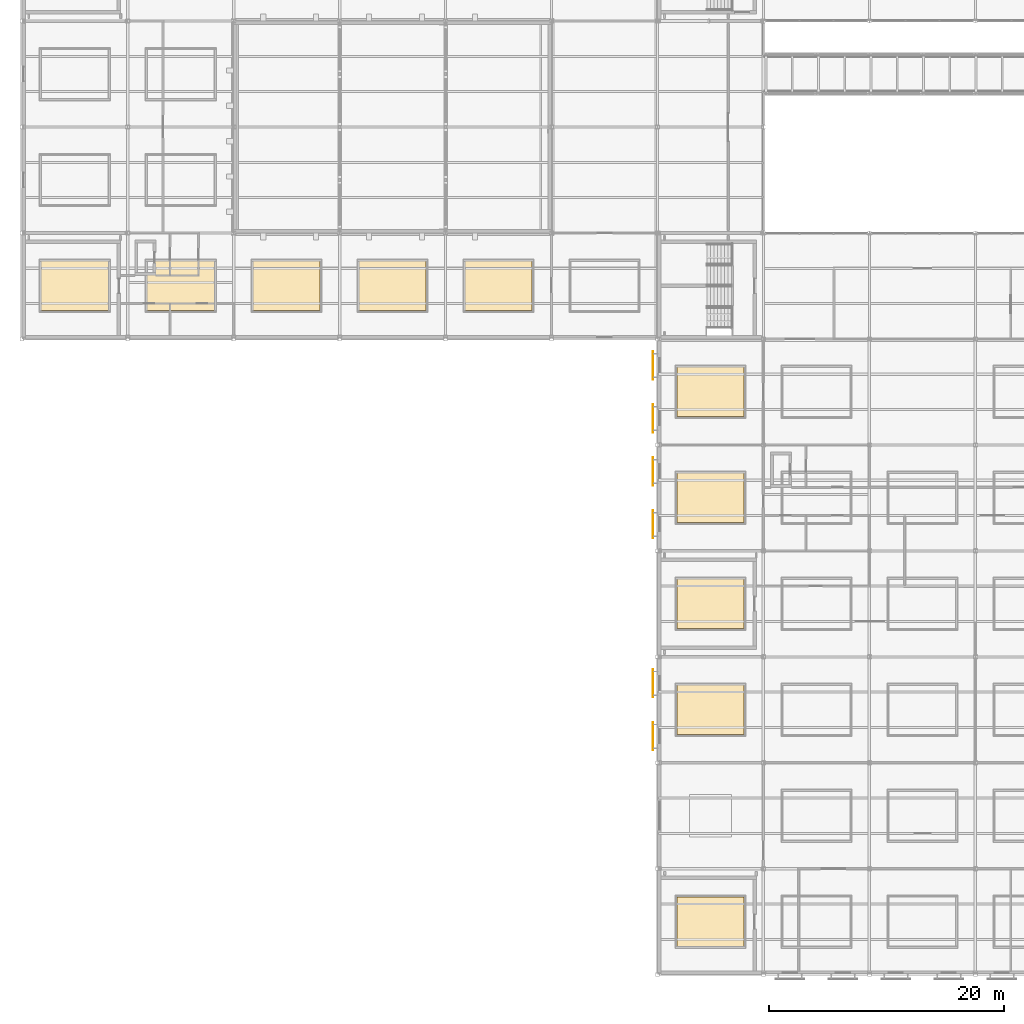
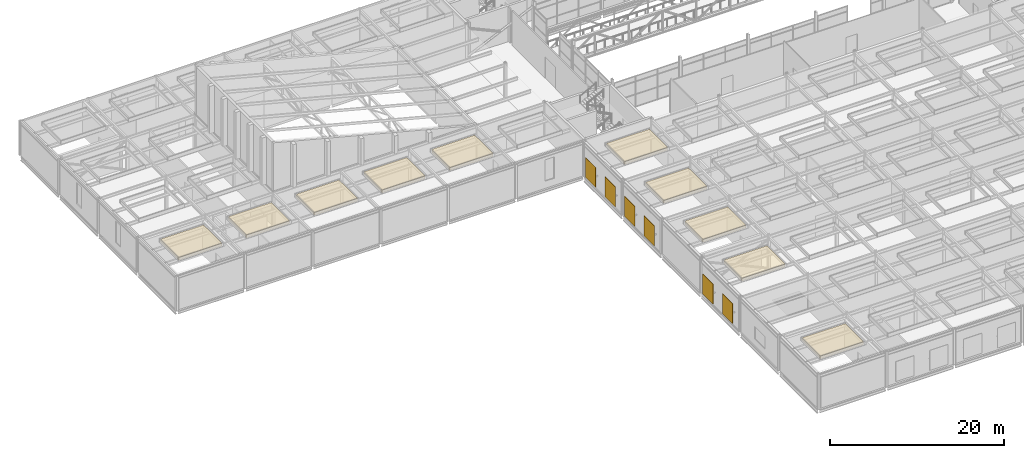
# One storey, part 108 of 115: 10 coverings, 6 shading devices.
"""IFC4 building model written with IfcOpenShell, lengths in metres."""

from ifc_helpers import new_model, si_unit, direction, frame, origin, origin_2d, place, context, subcontext, project, spatial, polyline, rectangle, outline, extrude, material, layer, layer_set, type_object, element, save


model = new_model("IFC4")

# Units and contexts
model_context = context("Model", 3, precision=1e-05, world=origin(), true_north=direction((0.0, 1.0)))
body_context = subcontext(model_context, "Body", "Model", "MODEL_VIEW")
ifc_project = project(units=[si_unit("LENGTHUNIT", "METRE"), si_unit("AREAUNIT", "SQUARE_METRE"), si_unit("VOLUMEUNIT", "CUBIC_METRE"), si_unit("PLANEANGLEUNIT", "RADIAN"), si_unit("MASSUNIT", "GRAM", prefix="KILO")], contexts=[model_context])

# Site, building, storey
site_placement = place(None, origin())
site = spatial("IfcSite", under=ifc_project, at=site_placement, CompositionType="ELEMENT")
building_placement = place(site_placement, origin())
building = spatial("IfcBuilding", under=site, at=building_placement, Name="Shorebreak Coast Museum", CompositionType="ELEMENT")
storey_placement = place(building_placement, frame((0.0, 0.0, 11.0)))
storey = spatial("IfcBuildingStorey", under=building, at=storey_placement, Name="L02", CompositionType="ELEMENT", Elevation=11.0)

# Shading devices
ifc_material_1 = material(Name="Aluminium", Category="aluminium")
ifc_layer_1 = layer(ifc_material_1, 0.0400390625)
ifc_layer_set_1 = layer_set([ifc_layer_1], Name="Aluminium")
shading_device_type = type_object("IfcShadingDeviceType", Name="Perforated aluminium screen 2400 x 2800", PredefinedType="USERDEFINED", material=ifc_layer_set_1)
for number, where, z_axis, x_axis, name in (
    (1, (53.6298828125, 20.25, 0.5498046875), (0.0, 0.0, 1.0), (1.0, 0.0, 0.0), "Perforated screen L02 W39"),
    (2, (53.6298828125, 24.75, 0.5498046875), (0.0, 0.0, 1.0), (1.0, 0.0, 0.0), "Perforated screen L02 W40"),
    (3, (53.6298828125, 38.25, 0.5498046875), (0.0, 0.0, 1.0), (1.0, 0.0, 0.0), "Perforated screen L02 W41"),
    (4, (53.6298828125, 42.75, 0.5498046875), (0.0, 0.0, 1.0), (1.0, 0.0, 0.0), "Perforated screen L02 W42"),
    (5, (53.6298828125, 47.25, 0.5498046875), (0.0, 0.0, 1.0), (1.0, 0.0, 0.0), "Perforated screen L02 W43"),
    (6, (53.6298828125, 51.75, 0.5498046875), (0.0, 0.0, 1.0), (1.0, 0.0, 0.0), "Perforated screen L02 W44"),
):
    element("IfcShadingDevice", number, at=place(storey_placement, frame(where, z_axis=z_axis, x_axis=x_axis)), inside=storey, type_object=shading_device_type, Name=name, ObjectType="LOUVRE", PredefinedType="USERDEFINED", context=body_context, shape_type="SweptSolid", body=[
        extrude(rectangle(XDim=0.0400390625, YDim=2.39990234375, at=origin_2d()), origin(), (0.0, 0.0, 1.0), 2.800048828125),
    ])

# Coverings
ifc_material_2 = material(Name="Growing medium")
ifc_layer_2 = layer(ifc_material_2, 0.39990234375)
ifc_layer_set_2 = layer_set([ifc_layer_2], Name="Growing medium")
covering_type = type_object("IfcCoveringType", Name="Roof garden planting 400", PredefinedType="FLOORING", material=ifc_layer_set_2)
covering_1_placement = place(storey_placement, frame((0.0, 0.0, 5.0)))
element("IfcCovering", 7, at=covering_1_placement, inside=storey, type_object=covering_type, Name="Roof garden planting", PredefinedType="FLOORING", context=body_context, shape_type="SweptSolid", body=[
    extrude(outline(polyline([(7.35009765625, 56.39990234375), (7.35009765625, 60.60009765625), (1.64990234375, 60.60009765625), (1.64990234375, 56.39990234375), (7.35009765625, 56.39990234375)])), origin(), (0.0, 0.0, 1.0), 0.39990234375),
])
covering_2_placement = place(storey_placement, frame((0.0, 0.0, 5.0)))
element("IfcCovering", 8, at=covering_2_placement, inside=storey, type_object=covering_type, Name="Roof garden planting", PredefinedType="FLOORING", context=body_context, shape_type="SweptSolid", body=[
    extrude(outline(polyline([(16.35009765625, 56.39990234375), (16.35009765625, 60.60009765625), (10.64990234375, 60.60009765625), (10.64990234375, 56.39990234375), (16.35009765625, 56.39990234375)])), origin(), (0.0, 0.0, 1.0), 0.39990234375),
])
covering_3_placement = place(storey_placement, frame((0.0, 0.0, 5.0)))
element("IfcCovering", 9, at=covering_3_placement, inside=storey, type_object=covering_type, Name="Roof garden planting", PredefinedType="FLOORING", context=body_context, shape_type="SweptSolid", body=[
    extrude(outline(polyline([(25.35009765625, 56.39990234375), (25.35009765625, 60.60009765625), (19.64990234375, 60.60009765625), (19.64990234375, 56.39990234375), (25.35009765625, 56.39990234375)])), origin(), (0.0, 0.0, 1.0), 0.39990234375),
])
covering_4_placement = place(storey_placement, frame((0.0, 0.0, 5.0)))
element("IfcCovering", 10, at=covering_4_placement, inside=storey, type_object=covering_type, Name="Roof garden planting", PredefinedType="FLOORING", context=body_context, shape_type="SweptSolid", body=[
    extrude(outline(polyline([(34.35009765625, 56.39990234375), (34.35009765625, 60.60009765625), (28.64990234375, 60.60009765625), (28.64990234375, 56.39990234375), (34.35009765625, 56.39990234375)])), origin(), (0.0, 0.0, 1.0), 0.39990234375),
])
covering_5_placement = place(storey_placement, frame((0.0, 0.0, 5.0)))
element("IfcCovering", 11, at=covering_5_placement, inside=storey, type_object=covering_type, Name="Roof garden planting", PredefinedType="FLOORING", context=body_context, shape_type="SweptSolid", body=[
    extrude(outline(polyline([(43.35009765625, 56.39990234375), (43.35009765625, 60.60009765625), (37.64990234375, 60.60009765625), (37.64990234375, 56.39990234375), (43.35009765625, 56.39990234375)])), origin(), (0.0, 0.0, 1.0), 0.39990234375),
])
covering_6_placement = place(storey_placement, frame((0.0, 0.0, 5.0)))
element("IfcCovering", 12, at=covering_6_placement, inside=storey, type_object=covering_type, Name="Roof garden planting", PredefinedType="FLOORING", context=body_context, shape_type="SweptSolid", body=[
    extrude(outline(polyline([(61.35009765625, 2.39990234375), (61.35009765625, 6.60009765625), (55.64990234375, 6.60009765625), (55.64990234375, 2.39990234375), (61.35009765625, 2.39990234375)])), origin(), (0.0, 0.0, 1.0), 0.39990234375),
])
covering_7_placement = place(storey_placement, frame((0.0, 0.0, 5.0)))
element("IfcCovering", 13, at=covering_7_placement, inside=storey, type_object=covering_type, Name="Roof garden planting", PredefinedType="FLOORING", context=body_context, shape_type="SweptSolid", body=[
    extrude(outline(polyline([(61.35009765625, 20.39990234375), (61.35009765625, 24.60009765625), (55.64990234375, 24.60009765625), (55.64990234375, 20.39990234375), (61.35009765625, 20.39990234375)])), origin(), (0.0, 0.0, 1.0), 0.39990234375),
])
covering_8_placement = place(storey_placement, frame((0.0, 0.0, 5.0)))
element("IfcCovering", 14, at=covering_8_placement, inside=storey, type_object=covering_type, Name="Roof garden planting", PredefinedType="FLOORING", context=body_context, shape_type="SweptSolid", body=[
    extrude(outline(polyline([(61.35009765625, 29.39990234375), (61.35009765625, 33.60009765625), (55.64990234375, 33.60009765625), (55.64990234375, 29.39990234375), (61.35009765625, 29.39990234375)])), origin(), (0.0, 0.0, 1.0), 0.39990234375),
])
covering_9_placement = place(storey_placement, frame((0.0, 0.0, 5.0)))
element("IfcCovering", 15, at=covering_9_placement, inside=storey, type_object=covering_type, Name="Roof garden planting", PredefinedType="FLOORING", context=body_context, shape_type="SweptSolid", body=[
    extrude(outline(polyline([(61.35009765625, 38.39990234375), (61.35009765625, 42.60009765625), (55.64990234375, 42.60009765625), (55.64990234375, 38.39990234375), (61.35009765625, 38.39990234375)])), origin(), (0.0, 0.0, 1.0), 0.39990234375),
])
covering_10_placement = place(storey_placement, frame((0.0, 0.0, 5.0)))
element("IfcCovering", 16, at=covering_10_placement, inside=storey, type_object=covering_type, Name="Roof garden planting", PredefinedType="FLOORING", context=body_context, shape_type="SweptSolid", body=[
    extrude(outline(polyline([(61.35009765625, 47.39990234375), (61.35009765625, 51.60009765625), (55.64990234375, 51.60009765625), (55.64990234375, 47.39990234375), (61.35009765625, 47.39990234375)])), origin(), (0.0, 0.0, 1.0), 0.39990234375),
])

save(model, "model.ifc")
